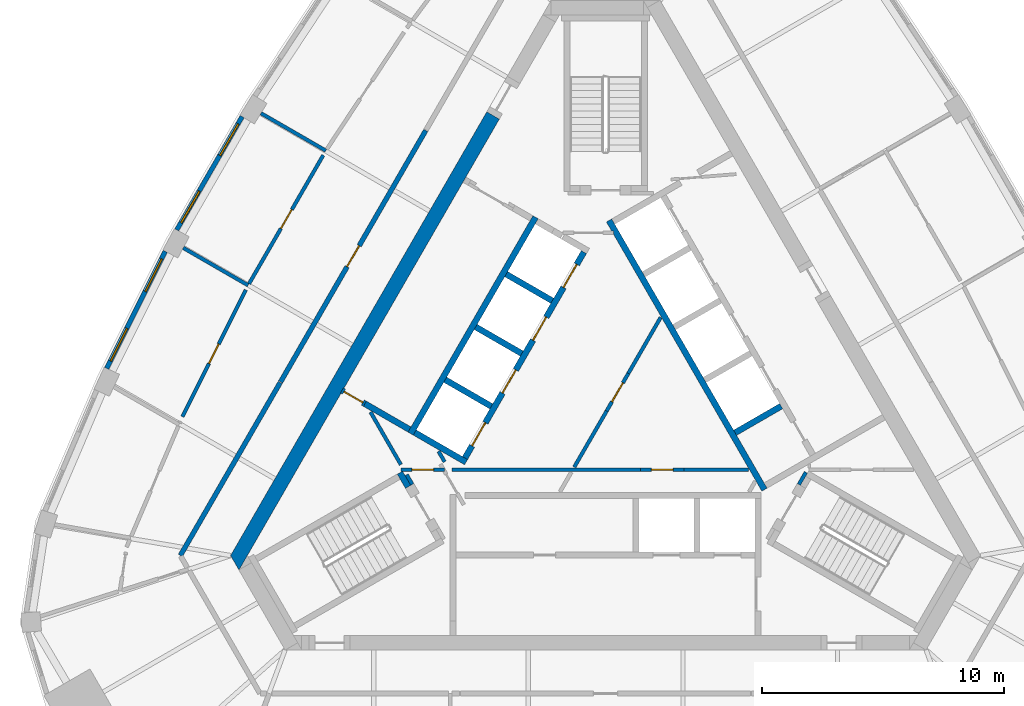
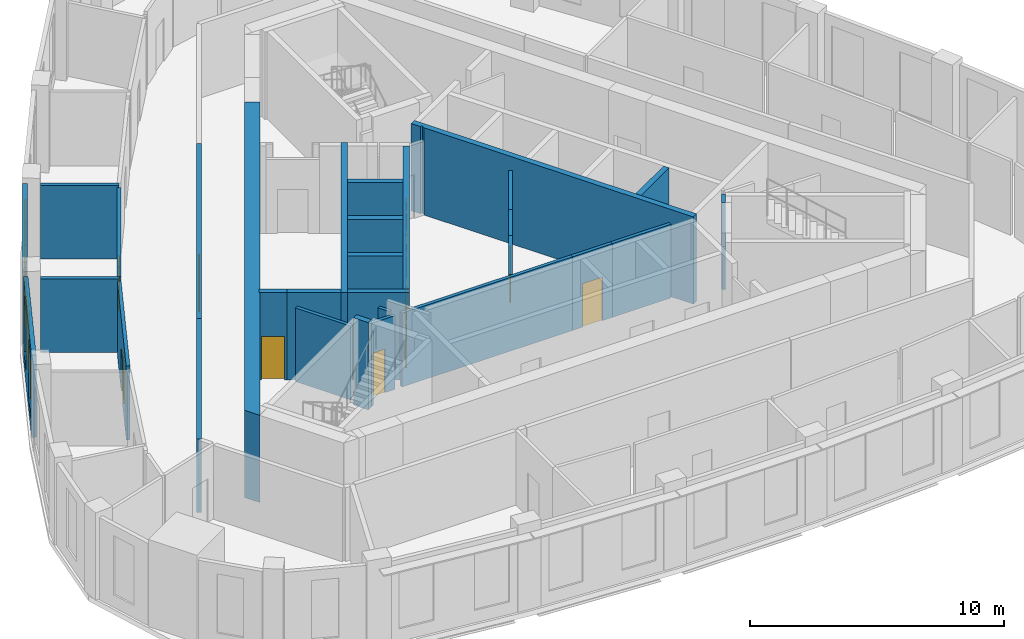
# One storey, part 5 of 10: 31 walls, 11 doors, 4 windows, 15 openings.
"""IFC4 building model written with IfcOpenShell, lengths in metres."""

from ifc_helpers import new_model, si_unit, direction, frame, frame_2d, origin, place, context, subcontext, project, spatial, polyline, rectangle, outline, extrude, material, layer, layer_set, type_object, element, fill, save


model = new_model("IFC4")

# Units and contexts
model_context = context("Model", 3, precision=1e-05, world=origin(), true_north=direction((0.0, 1.0)))
body_context = subcontext(model_context, "Body", "Model", "MODEL_VIEW")
ifc_project = project(units=[si_unit("LENGTHUNIT", "METRE"), si_unit("AREAUNIT", "SQUARE_METRE"), si_unit("VOLUMEUNIT", "CUBIC_METRE"), si_unit("PLANEANGLEUNIT", "RADIAN"), si_unit("MASSUNIT", "GRAM", prefix="KILO")], contexts=[model_context])

# Site, building, storey
site_placement = place(None, origin())
site = spatial("IfcSite", under=ifc_project, at=site_placement, CompositionType="ELEMENT")
building_placement = place(site_placement, origin())
building = spatial("IfcBuilding", under=site, at=building_placement, Name="Mestral Congress Tower", CompositionType="ELEMENT")
storey_placement = place(building_placement, frame((0.0, 0.0, 288.0)))
storey = spatial("IfcBuildingStorey", under=building, at=storey_placement, Name="L67", CompositionType="ELEMENT", Elevation=288.0)

# Walls
ifc_material_1 = material(Name="Fire-rated board partition")
ifc_layer_1 = layer(ifc_material_1, 0.14990234375)
ifc_layer_set_1 = layer_set([ifc_layer_1], Name="Fire-rated board partition")
wall_type_1 = type_object("IfcWallType", Name="Core partition 150", PredefinedType="PARTITIONING", material=ifc_layer_set_1)
wall_1_placement = place(storey_placement, frame((-9.717529296875, -0.41748046875, 0.0), z_axis=(0.0, 0.0, 1.0), x_axis=(0.499966538646, -0.866044721844, 0.0)))
element("IfcWall", 1, at=wall_1_placement, inside=storey, type_object=wall_type_1, Name="L67 core wall", PredefinedType="PARTITIONING", context=body_context, shape_type="SweptSolid", body=[
    extrude(rectangle(XDim=2.510986328125, YDim=0.14990234375, at=frame_2d((1.25537109375, 0.0))), origin(), (0.0, 0.0, 1.0), 3.550048828125),
])
wall_2_placement = place(storey_placement, frame((0.94091796875, 1.179443359375, 0.0), z_axis=(0.0, 0.0, 1.0), x_axis=(0.499962406319, 0.866047107418, 0.0)))
element("IfcWall", 2, at=wall_2_placement, inside=storey, type_object=wall_type_1, Name="L67 core wall", PredefinedType="PARTITIONING", context=body_context, shape_type="SweptSolid", body=[
    extrude(rectangle(XDim=2.671630859375, YDim=0.14990234375, at=frame_2d((1.3359375, 0.0))), origin(), (0.0, 0.0, 1.0), 3.550048828125),
])
wall_3_placement = place(storey_placement, frame((1.438232421875, -2.800048828125, 0.0), z_axis=(0.0, 0.0, 1.0), x_axis=(-1.0, 0.0, 0.0)))
element("IfcWall", 3, at=wall_3_placement, inside=storey, type_object=wall_type_1, Name="L67 core wall", PredefinedType="PARTITIONING", context=body_context, shape_type="SweptSolid", body=[
    extrude(rectangle(XDim=7.78125, YDim=0.14990234375, at=frame_2d((3.890625, 0.0))), origin(), (0.0, 0.0, 1.0), 3.550048828125),
])
for number, where, z_axis, x_axis, name in (
    (4, (-1.295166015625, -2.693115234375, 0.0), (0.0, 0.0, 1.0), (0.500030943131, 0.866007538022, 0.0), "L67 core wall"),
    (5, (3.23828125, -2.800048828125, 0.0), (0.0, 0.0, 1.0), (1.0, 0.0, 0.0), "L67 core wall"),
):
    element("IfcWall", number, at=place(storey_placement, frame(where, z_axis=z_axis, x_axis=x_axis)), inside=storey, type_object=wall_type_1, Name=name, PredefinedType="PARTITIONING", context=body_context, shape_type="SweptSolid", body=[
        extrude(rectangle(XDim=2.671630859375, YDim=0.14990234375, at=frame_2d((1.3359375, 0.0))), origin(), (0.0, 0.0, 1.0), 3.550048828125),
    ])
wall_4_placement = place(storey_placement, frame((-6.65283203125, -2.476806640625, 0.0), z_axis=(0.0, 0.0, 1.0), x_axis=(-0.500002592159, 0.866023907196, 0.0)))
element("IfcWall", 6, at=wall_4_placement, inside=storey, type_object=wall_type_1, Name="L67 core wall", PredefinedType="PARTITIONING", context=body_context, shape_type="SweptSolid", body=[
    extrude(rectangle(XDim=0.5029296875, YDim=0.14990234375, at=frame_2d((0.25146484375, 0.0))), origin(), (0.0, 0.0, 1.0), 3.550048828125),
])
wall_5_placement = place(storey_placement, frame((-7.990234375, -3.41162109375, 0.0), z_axis=(0.0, 0.0, 1.0), x_axis=(-0.499858525911, 0.866107068482, 0.0)))
element("IfcWall", 7, at=wall_5_placement, inside=storey, type_object=wall_type_1, Name="L67 core wall", PredefinedType="PARTITIONING", context=body_context, shape_type="SweptSolid", body=[
    extrude(rectangle(XDim=0.466064453125, YDim=0.14990234375, at=frame_2d((0.23291015625, 0.0))), origin(), (0.0, 0.0, 1.0), 3.550048828125),
])

# Wall, opening, door
wall_6_placement = place(storey_placement, frame((0.040771484375, -0.37939453125, 0.0), z_axis=(0.0, 0.0, 1.0), x_axis=(0.499961193289, 0.866047807691, 0.0)))
wall_6 = element("IfcWall", 8, at=wall_6_placement, inside=storey, type_object=wall_type_1, Name="L67 door wall", PredefinedType="PARTITIONING", context=body_context, shape_type="SweptSolid", body=[
    extrude(rectangle(XDim=1.800048828125, YDim=0.14990234375, at=frame_2d((0.89990234375, 0.0))), origin(), (0.0, 0.0, 1.0), 3.550048828125),
])
opening_1_placement = place(wall_6_placement, frame((0.449951171875, 0.0, 0.0)))
opening_1 = element("IfcOpeningElement", 9, at=opening_1_placement, cuts=wall_6, Name="Opening SD-HUB0", PredefinedType="OPENING", context=body_context, shape_type="SweptSolid", body=[
    extrude(rectangle(XDim=0.89990234375, YDim=2.10009765625, at=frame_2d((0.449951171875, 1.050048828125))), frame((0.0, 0.0849609375, 0.0), z_axis=(0.0, -1.0, 0.0), x_axis=(1.0, 0.0, 0.0)), (0.0, 0.0, 1.0), 0.169921875),
])
ifc_material_2 = material(Name="Fire-rated steel door set", Category="steel")
door_type_1 = type_object("IfcDoorType", Name="Core door SR 900x2100", OperationType="SINGLE_SWING_LEFT", PredefinedType="DOOR", material=ifc_material_2)
door_1_placement = place(opening_1_placement, origin())
door_1 = element("IfcDoor", 10, at=door_1_placement, inside=storey, type_object=door_type_1, Name="Door SD-HUB0", OperationType="SINGLE_SWING_LEFT", OverallHeight=2.10009765625, OverallWidth=0.89990234375, PredefinedType="DOOR", context=body_context, shape_type="SweptSolid", body=[
    extrude(rectangle(XDim=0.89990234375, YDim=2.10009765625, at=frame_2d((0.449951171875, 1.050048828125))), frame((0.0, 0.02490234375, 0.0), z_axis=(0.0, -1.0, 0.0), x_axis=(1.0, 0.0, 0.0)), (0.0, 0.0, 1.0), 0.050048828125),
])
fill(opening_1, door_1)

wall_7_placement = place(storey_placement, frame((1.438232421875, -2.800048828125, 0.0), z_axis=(0.0, 0.0, 1.0), x_axis=(1.0, 0.0, 0.0)))
wall_7 = element("IfcWall", 11, at=wall_7_placement, inside=storey, type_object=wall_type_1, Name="L67 door wall", PredefinedType="PARTITIONING", context=body_context, shape_type="SweptSolid", body=[
    extrude(rectangle(XDim=1.800048828125, YDim=0.14990234375, at=frame_2d((0.89990234375, 0.0))), origin(), (0.0, 0.0, 1.0), 3.550048828125),
])
opening_2_placement = place(wall_7_placement, frame((0.449951171875, 0.0, 0.0)))
opening_2 = element("IfcOpeningElement", 12, at=opening_2_placement, cuts=wall_7, Name="Opening SD-HUB2", PredefinedType="OPENING", context=body_context, shape_type="SweptSolid", body=[
    extrude(rectangle(XDim=0.89990234375, YDim=2.10009765625, at=frame_2d((0.449951171875, 1.050048828125))), frame((0.0, 0.0849609375, 0.0), z_axis=(0.0, -1.0, 0.0), x_axis=(1.0, 0.0, 0.0)), (0.0, 0.0, 1.0), 0.169921875),
])
door_2_placement = place(opening_2_placement, origin())
door_2 = element("IfcDoor", 13, at=door_2_placement, inside=storey, type_object=door_type_1, Name="Door SD-HUB2", OperationType="SINGLE_SWING_LEFT", OverallHeight=2.10009765625, OverallWidth=0.89990234375, PredefinedType="DOOR", context=body_context, shape_type="SweptSolid", body=[
    extrude(rectangle(XDim=0.89990234375, YDim=2.10009765625, at=frame_2d((0.449951171875, 1.050048828125))), frame((0.0, 0.02490234375, 0.0), z_axis=(0.0, -1.0, 0.0), x_axis=(1.0, 0.0, 0.0)), (0.0, 0.0, 1.0), 0.050048828125),
])
fill(opening_2, door_2)

wall_8_placement = place(storey_placement, frame((-6.654541015625, -2.800048828125, 0.0), z_axis=(0.0, 0.0, 1.0), x_axis=(-1.0, 0.0, 0.0)))
wall_8 = element("IfcWall", 14, at=wall_8_placement, inside=storey, type_object=wall_type_1, Name="L67 door wall", PredefinedType="PARTITIONING", context=body_context, shape_type="SweptSolid", body=[
    extrude(rectangle(XDim=1.800048828125, YDim=0.14990234375, at=frame_2d((0.89990234375, 0.0))), origin(), (0.0, 0.0, 1.0), 3.550048828125),
])
opening_3_placement = place(wall_8_placement, frame((0.449951171875, 0.0, 0.0)))
opening_3 = element("IfcOpeningElement", 15, at=opening_3_placement, cuts=wall_8, Name="Opening SD-HUB5", PredefinedType="OPENING", context=body_context, shape_type="SweptSolid", body=[
    extrude(rectangle(XDim=0.89990234375, YDim=2.10009765625, at=frame_2d((0.449951171875, 1.050048828125))), frame((0.0, 0.0849609375, 0.0), z_axis=(0.0, -1.0, 0.0), x_axis=(1.0, 0.0, 0.0)), (0.0, 0.0, 1.0), 0.169921875),
])
door_3_placement = place(opening_3_placement, origin())
door_3 = element("IfcDoor", 16, at=door_3_placement, inside=storey, type_object=door_type_1, Name="Door SD-HUB5", OperationType="SINGLE_SWING_LEFT", OverallHeight=2.10009765625, OverallWidth=0.89990234375, PredefinedType="DOOR", context=body_context, shape_type="SweptSolid", body=[
    extrude(rectangle(XDim=0.89990234375, YDim=2.10009765625, at=frame_2d((0.449951171875, 1.050048828125))), frame((0.0, 0.02490234375, 0.0), z_axis=(0.0, -1.0, 0.0), x_axis=(1.0, 0.0, 0.0)), (0.0, 0.0, 1.0), 0.050048828125),
])
fill(opening_3, door_3)

# Wall
ifc_material_3 = material(Name="Concrete C60/75", Category="concrete")
ifc_layer_2 = layer(ifc_material_3, 0.60009765625)
ifc_layer_set_2 = layer_set([ifc_layer_2], Name="Concrete C60/75")
wall_type_2 = type_object("IfcWallType", Name="Core wall RC 600", PredefinedType="SOLIDWALL", material=ifc_layer_set_2)
placement = place(storey_placement, origin())
element("IfcWall", 17, at=placement, inside=storey, type_object=wall_type_2, Name="L67 core wall", PredefinedType="SOLIDWALL", context=body_context, shape_type="SweptSolid", body=[
    extrude(outline(polyline([(-15.501953125, -6.35009765625), (-4.912109375, 11.991943359375), (-4.392578125, 11.69189453125), (-10.814697265625, 0.568603515625), (-10.840087890625, 0.583251953125), (-10.840087890625, 0.583251953125), (-10.84033203125, 0.583251953125), (-10.96533203125, 0.36669921875), (-10.96533203125, 0.36669921875), (-10.965087890625, 0.36669921875), (-10.939697265625, 0.351806640625), (-11.03271484375, 0.19091796875), (-14.80908203125, -6.35009765625), (-15.155517578125, -6.949951171875), (-15.501953125, -6.35009765625)])), origin(), (0.0, 0.0, 1.0), 4.199951171875),
])

# Wall, openings, windows
ifc_material_4 = material(Name="Precast concrete C40/50 with limestone facing", Category="masonry")
ifc_layer_3 = layer(ifc_material_4, 0.18994140625)
ifc_layer_set_3 = layer_set([ifc_layer_3], Name="Precast concrete C40/50 with limestone facing")
wall_type_3 = type_object("IfcWallType", Name="Facade stone wall 190", PredefinedType="SOLIDWALL", material=ifc_layer_set_3)
wall_10_placement = place(storey_placement, frame((-15.025146484375, 11.7958984375, 0.0), z_axis=(0.0, 0.0, 1.0), x_axis=(-0.500024767483, -0.866011103799, 0.0)))
wall_10 = element("IfcWall", 18, at=wall_10_placement, inside=storey, type_object=wall_type_3, Name="Facade wall F2-02", PredefinedType="SOLIDWALL", context=body_context, shape_type="SweptSolid", body=[
    extrude(rectangle(XDim=5.406005859375, YDim=0.18994140625, at=frame_2d((2.703125, 0.0))), origin(), (0.0, 0.0, 1.0), 3.949951171875),
])
opening_4_placement = place(wall_10_placement, frame((0.346435546875, 0.0, 0.60009765625)))
opening_4 = element("IfcOpeningElement", 19, at=opening_4_placement, cuts=wall_10, Name="Opening W6", PredefinedType="OPENING", context=body_context, shape_type="SweptSolid", body=[
    extrude(rectangle(XDim=1.5, YDim=2.85009765625, at=frame_2d((0.75, 1.425048828125))), frame((0.0, 0.10498046875, 0.0), z_axis=(0.0, -1.0, 0.0), x_axis=(1.0, 0.0, 0.0)), (0.0, 0.0, 1.0), 0.2099609375),
])
opening_5_placement = place(wall_10_placement, frame((3.559326171875, 0.0, 0.60009765625)))
opening_5 = element("IfcOpeningElement", 20, at=opening_5_placement, cuts=wall_10, Name="Opening W6", PredefinedType="OPENING", context=body_context, shape_type="SweptSolid", body=[
    extrude(rectangle(XDim=1.5, YDim=2.85009765625, at=frame_2d((0.75, 1.425048828125))), frame((0.0, 0.10498046875, 0.0), z_axis=(0.0, -1.0, 0.0), x_axis=(1.0, 0.0, 0.0)), (0.0, 0.0, 1.0), 0.2099609375),
])
ifc_material_5 = material(Name="Clear low-emissivity double glazing", Category="glass")
window_type = type_object("IfcWindowType", Name="Facade punched window 1500 x 2850 sill 600", PartitioningType="SINGLE_PANEL", PredefinedType="WINDOW", material=ifc_material_5)
window_1_placement = place(opening_4_placement, origin())
window_1 = element("IfcWindow", 21, at=window_1_placement, inside=storey, type_object=window_type, Name="Window F2-02a", OverallHeight=2.85009765625, OverallWidth=1.5, PartitioningType="SINGLE_PANEL", PredefinedType="WINDOW", context=body_context, shape_type="SweptSolid", body=[
    extrude(rectangle(XDim=1.5, YDim=2.85009765625, at=frame_2d((0.75, 1.425048828125))), frame((0.0, 0.044921875, 0.0), z_axis=(0.0, -1.0, 0.0), x_axis=(1.0, 0.0, 0.0)), (0.0, 0.0, 1.0), 0.06005859375),
])
fill(opening_4, window_1)
window_2_placement = place(opening_5_placement, origin())
window_2 = element("IfcWindow", 22, at=window_2_placement, inside=storey, type_object=window_type, Name="Window F2-02b", OverallHeight=2.85009765625, OverallWidth=1.5, PartitioningType="SINGLE_PANEL", PredefinedType="WINDOW", context=body_context, shape_type="SweptSolid", body=[
    extrude(rectangle(XDim=1.5, YDim=2.85009765625, at=frame_2d((0.75, 1.425048828125))), frame((0.0, 0.044921875, 0.0), z_axis=(0.0, -1.0, 0.0), x_axis=(1.0, 0.0, 0.0)), (0.0, 0.0, 1.0), 0.06005859375),
])
fill(opening_5, window_2)

wall_11_placement = place(storey_placement, frame((-18.205810546875, 6.226806640625, 0.0), z_axis=(0.0, 0.0, 1.0), x_axis=(-0.447484531401, -0.894291671747, 0.0)))
wall_11 = element("IfcWall", 23, at=wall_11_placement, inside=storey, type_object=wall_type_3, Name="Facade wall F2-03", PredefinedType="SOLIDWALL", context=body_context, shape_type="SweptSolid", body=[
    extrude(rectangle(XDim=5.40625, YDim=0.18994140625, at=frame_2d((2.703125, 0.0))), origin(), (0.0, 0.0, 1.0), 3.949951171875),
])
opening_6_placement = place(wall_11_placement, frame((0.346435546875, 0.0, 0.60009765625)))
opening_6 = element("IfcOpeningElement", 24, at=opening_6_placement, cuts=wall_11, Name="Opening W6", PredefinedType="OPENING", context=body_context, shape_type="SweptSolid", body=[
    extrude(rectangle(XDim=1.5, YDim=2.85009765625, at=frame_2d((0.75, 1.425048828125))), frame((0.0, 0.10498046875, 0.0), z_axis=(0.0, -1.0, 0.0), x_axis=(1.0, 0.0, 0.0)), (0.0, 0.0, 1.0), 0.2099609375),
])
opening_7_placement = place(wall_11_placement, frame((3.559326171875, 0.0, 0.60009765625)))
opening_7 = element("IfcOpeningElement", 25, at=opening_7_placement, cuts=wall_11, Name="Opening W6", PredefinedType="OPENING", context=body_context, shape_type="SweptSolid", body=[
    extrude(rectangle(XDim=1.5, YDim=2.85009765625, at=frame_2d((0.75, 1.425048828125))), frame((0.0, 0.10498046875, 0.0), z_axis=(0.0, -1.0, 0.0), x_axis=(1.0, 0.0, 0.0)), (0.0, 0.0, 1.0), 0.2099609375),
])
window_3_placement = place(opening_6_placement, origin())
window_3 = element("IfcWindow", 26, at=window_3_placement, inside=storey, type_object=window_type, Name="Window F2-03a", OverallHeight=2.85009765625, OverallWidth=1.5, PartitioningType="SINGLE_PANEL", PredefinedType="WINDOW", context=body_context, shape_type="SweptSolid", body=[
    extrude(rectangle(XDim=1.5, YDim=2.85009765625, at=frame_2d((0.75, 1.425048828125))), frame((0.0, 0.044921875, 0.0), z_axis=(0.0, -1.0, 0.0), x_axis=(1.0, 0.0, 0.0)), (0.0, 0.0, 1.0), 0.06005859375),
])
fill(opening_6, window_3)
window_4_placement = place(opening_7_placement, origin())
window_4 = element("IfcWindow", 27, at=window_4_placement, inside=storey, type_object=window_type, Name="Window F2-03b", OverallHeight=2.85009765625, OverallWidth=1.5, PartitioningType="SINGLE_PANEL", PredefinedType="WINDOW", context=body_context, shape_type="SweptSolid", body=[
    extrude(rectangle(XDim=1.5, YDim=2.85009765625, at=frame_2d((0.75, 1.425048828125))), frame((0.0, 0.044921875, 0.0), z_axis=(0.0, -1.0, 0.0), x_axis=(1.0, 0.0, 0.0)), (0.0, 0.0, 1.0), 0.06005859375),
])
fill(opening_7, window_4)

# Walls
ifc_material_6 = material(Name="Plasterboard partition on steel studs", Category="steel")
ifc_layer_4 = layer(ifc_material_6, 0.14990234375)
ifc_layer_set_4 = layer_set([ifc_layer_4], Name="Plasterboard partition on steel studs")
wall_type_4 = type_object("IfcWallType", Name="Office partition 150", PredefinedType="PARTITIONING", material=ifc_layer_set_4)
for number, where, z_axis, x_axis, name in (
    (28, (-11.564208984375, 10.38671875, 0.0), (0.0, 0.0, 1.0), (-0.86604641216, 0.499963610661, 0.0), "Partition"),
    (29, (-14.77734375, 4.821533203125, 0.0), (0.0, 0.0, 1.0), (-0.865992557167, 0.500056887695, 0.0), "Partition"),
):
    element("IfcWall", number, at=place(storey_placement, frame(where, z_axis=z_axis, x_axis=x_axis)), inside=storey, type_object=wall_type_4, Name=name, PredefinedType="PARTITIONING", context=body_context, shape_type="SweptSolid", body=[
        extrude(rectangle(XDim=3.096435546875, YDim=0.14990234375, at=frame_2d((1.54833984375, 0.0))), origin(), (0.0, 0.0, 1.0), 3.550048828125),
    ])

# Wall, opening, door
wall_12_placement = place(storey_placement, frame((-14.73974609375, 4.88671875, 0.0), z_axis=(0.0, 0.0, 1.0), x_axis=(0.500007141444, 0.86602128063, 0.0)))
wall_12 = element("IfcWall", 30, at=wall_12_placement, inside=storey, type_object=wall_type_4, Name="Partition", PredefinedType="PARTITIONING", context=body_context, shape_type="SweptSolid", body=[
    extrude(rectangle(XDim=6.13671875, YDim=0.14990234375, at=frame_2d((3.068359375, 0.0))), origin(), (0.0, 0.0, 1.0), 3.550048828125),
])
opening_8_placement = place(wall_12_placement, frame((2.63671875, 0.0, 0.0)))
opening_8 = element("IfcOpeningElement", 31, at=opening_8_placement, cuts=wall_12, Name="Opening O12-014", PredefinedType="OPENING", context=body_context, shape_type="SweptSolid", body=[
    extrude(rectangle(XDim=0.89990234375, YDim=2.10009765625, at=frame_2d((0.449951171875, 1.050048828125))), frame((0.0, 0.0849609375, 0.0), z_axis=(0.0, -1.0, 0.0), x_axis=(1.0, 0.0, 0.0)), (0.0, 0.0, 1.0), 0.169921875),
])
ifc_material_7 = material(Name="Timber door set", Category="wood")
door_type_2 = type_object("IfcDoorType", Name="Office door 900x2100", OperationType="SINGLE_SWING_LEFT", PredefinedType="DOOR", material=ifc_material_7)
door_4_placement = place(opening_8_placement, origin())
door_4 = element("IfcDoor", 32, at=door_4_placement, inside=storey, type_object=door_type_2, Name="Door O12-014", OperationType="SINGLE_SWING_RIGHT", OverallHeight=2.10009765625, OverallWidth=0.89990234375, PredefinedType="DOOR", context=body_context, shape_type="SweptSolid", body=[
    extrude(rectangle(XDim=0.89990234375, YDim=2.10009765625, at=frame_2d((0.449951171875, 1.050048828125))), frame((0.0, 0.02490234375, 0.0), z_axis=(0.0, -1.0, 0.0), x_axis=(1.0, 0.0, 0.0)), (0.0, 0.0, 1.0), 0.050048828125),
])
fill(opening_8, door_4)

wall_13_placement = place(storey_placement, frame((-17.49658203125, -0.61328125, 0.0), z_axis=(0.0, 0.0, 1.0), x_axis=(0.447480081559, 0.89429389834, 0.0)))
wall_13 = element("IfcWall", 33, at=wall_13_placement, inside=storey, type_object=wall_type_4, Name="Partition", PredefinedType="PARTITIONING", context=body_context, shape_type="SweptSolid", body=[
    extrude(rectangle(XDim=5.86279296875, YDim=0.14990234375, at=frame_2d((2.931396484375, 0.0))), origin(), (0.0, 0.0, 1.0), 3.550048828125),
])
opening_9_placement = place(wall_13_placement, frame((2.463134765625, 0.0, 0.0)))
opening_9 = element("IfcOpeningElement", 34, at=opening_9_placement, cuts=wall_13, Name="Opening O12-015", PredefinedType="OPENING", context=body_context, shape_type="SweptSolid", body=[
    extrude(rectangle(XDim=0.89990234375, YDim=2.10009765625, at=frame_2d((0.449951171875, 1.050048828125))), frame((0.0, 0.0849609375, 0.0), z_axis=(0.0, -1.0, 0.0), x_axis=(1.0, 0.0, 0.0)), (0.0, 0.0, 1.0), 0.169921875),
])
door_5_placement = place(opening_9_placement, origin())
door_5 = element("IfcDoor", 35, at=door_5_placement, inside=storey, type_object=door_type_2, Name="Door O12-015", OperationType="SINGLE_SWING_LEFT", OverallHeight=2.10009765625, OverallWidth=0.89990234375, PredefinedType="DOOR", context=body_context, shape_type="SweptSolid", body=[
    extrude(rectangle(XDim=0.89990234375, YDim=2.10009765625, at=frame_2d((0.449951171875, 1.050048828125))), frame((0.0, 0.02490234375, 0.0), z_axis=(0.0, -1.0, 0.0), x_axis=(1.0, 0.0, 0.0)), (0.0, 0.0, 1.0), 0.050048828125),
])
fill(opening_9, door_5)

ifc_material_8 = material(Name="Dense masonry wall, plastered", Category="masonry")
ifc_layer_5 = layer(ifc_material_8, 0.199951171875)
ifc_layer_set_5 = layer_set([ifc_layer_5], Name="Dense masonry wall, plastered")
wall_type_5 = type_object("IfcWallType", Name="Office tenancy wall 200", PredefinedType="PARTITIONING", material=ifc_layer_set_5)
wall_14_placement = place(storey_placement, frame((-7.435546875, 11.22119140625, 0.0), z_axis=(0.0, 0.0, 1.0), x_axis=(-0.49999894854, -0.866026010844, 0.0)))
wall_14 = element("IfcWall", 36, at=wall_14_placement, inside=storey, type_object=wall_type_5, Name="Tenancy wall", PredefinedType="PARTITIONING", context=body_context, shape_type="SweptSolid", body=[
    extrude(rectangle(XDim=12.0, YDim=0.199951171875, at=frame_2d((6.0, 0.0))), origin(), (0.0, 0.0, 1.0), 3.550048828125),
])
opening_10_placement = place(wall_14_placement, frame((5.5, 0.0, 0.0)))
opening_10 = element("IfcOpeningElement", 37, at=opening_10_placement, cuts=wall_14, Name="Opening O12-018", PredefinedType="OPENING", context=body_context, shape_type="SweptSolid", body=[
    extrude(rectangle(XDim=1.0, YDim=2.10009765625, at=frame_2d((0.5, 1.050048828125))), frame((0.0, 0.10986328125, 0.0), z_axis=(0.0, -1.0, 0.0), x_axis=(1.0, 0.0, 0.0)), (0.0, 0.0, 1.0), 0.219970703125),
])
ifc_material_9 = material(Name="Fire-rated timber door set", Category="wood")
door_type_3 = type_object("IfcDoorType", Name="Office tenancy entrance door 1000x2100", OperationType="SINGLE_SWING_LEFT", PredefinedType="DOOR", material=ifc_material_9)
door_6_placement = place(opening_10_placement, origin())
door_6 = element("IfcDoor", 38, at=door_6_placement, inside=storey, type_object=door_type_3, Name="Door O12-018", OperationType="SINGLE_SWING_RIGHT", OverallHeight=2.10009765625, OverallWidth=1.0, PredefinedType="DOOR", context=body_context, shape_type="SweptSolid", body=[
    extrude(rectangle(XDim=1.0, YDim=2.10009765625, at=frame_2d((0.5, 1.050048828125))), frame((0.0, 0.02490234375, 0.0), z_axis=(0.0, -1.0, 0.0), x_axis=(1.0, 0.0, 0.0)), (0.0, 0.0, 1.0), 0.050048828125),
])
fill(opening_10, door_6)

# Walls
wall_15_placement = place(storey_placement, frame((-13.45068359375, 0.802978515625, 0.0), z_axis=(0.0, 0.0, 1.0), x_axis=(-0.499982585408, -0.86603545787, 0.0)))
element("IfcWall", 39, at=wall_15_placement, inside=storey, type_object=wall_type_5, Name="Tenancy wall", PredefinedType="PARTITIONING", context=body_context, shape_type="SweptSolid", body=[
    extrude(rectangle(XDim=8.259521484375, YDim=0.199951171875, at=frame_2d((4.1298828125, 0.0))), origin(), (0.0, 0.0, 1.0), 3.550048828125),
])
ifc_layer_6 = layer(ifc_material_3, 0.25)
ifc_layer_set_6 = layer_set([ifc_layer_6], Name="Concrete C60/75")
wall_type_6 = type_object("IfcWallType", Name="Shaft wall RC 250", PredefinedType="SOLIDWALL", material=ifc_layer_set_6)
element("IfcWall", 40, at=placement, inside=storey, type_object=wall_type_6, Name="L67 core wall", PredefinedType="SOLIDWALL", context=body_context, shape_type="SweptSolid", body=[
    extrude(outline(polyline([(0.33203125, 6.9248046875), (0.334716796875, 6.9248046875), (0.334716796875, 6.925048828125), (0.334716796875, 6.925048828125), (0.334716796875, 7.074951171875), (0.334716796875, 7.074951171875), (0.334716796875, 7.0751953125), (0.245361328125, 7.0751953125), (0.03515625, 7.439208984375), (0.251708984375, 7.564208984375), (0.376708984375, 7.34765625), (1.51171875, 5.3818359375), (1.63671875, 5.165283203125), (2.220947265625, 4.153076171875), (2.771484375, 3.199462890625), (2.896484375, 2.98291015625), (3.13818359375, 2.564208984375), (4.031494140625, 1.01708984375), (4.156494140625, 0.800537109375), (5.29150390625, -1.165283203125), (5.41650390625, -1.3818359375), (6.072998046875, -2.518798828125), (6.551513671875, -3.34765625), (6.676513671875, -3.564208984375), (6.460205078125, -3.689208984375), (0.33203125, 6.9248046875)])), origin(), (0.0, 0.0, 1.0), 4.199951171875),
])
wall_17_placement = place(storey_placement, frame((5.35400390625, -1.273681640625, 0.0), z_axis=(0.0, 0.0, 1.0), x_axis=(0.866008176907, 0.50002983664, 0.0)))
element("IfcWall", 41, at=wall_17_placement, inside=storey, type_object=wall_type_6, Name="L67 core wall", PredefinedType="SOLIDWALL", context=body_context, shape_type="SweptSolid", body=[
    extrude(rectangle(XDim=2.199951171875, YDim=0.25, at=frame_2d((1.10009765625, 0.0))), origin(), (0.0, 0.0, 1.0), 4.199951171875),
])
wall_18_placement = place(storey_placement, frame((-8.06005859375, -1.310546875, 0.0), z_axis=(0.0, 0.0, 1.0), x_axis=(0.50000273126, 0.866023826885, 0.0)))
element("IfcWall", 42, at=wall_18_placement, inside=storey, type_object=wall_type_6, Name="L67 core wall", PredefinedType="SOLIDWALL", context=body_context, shape_type="SweptSolid", body=[
    extrude(rectangle(XDim=10.330078125, YDim=0.25, at=frame_2d((5.1650390625, 0.0))), origin(), (0.0, 0.0, 1.0), 4.199951171875),
])
for number, where, z_axis, x_axis, name in (
    (43, (-2.2041015625, 4.182373046875, 0.0), (0.0, 0.0, 1.0), (-0.866008176907, 0.50002983664, 0.0), "L67 core wall"),
    (44, (-5.369384765625, 3.10009765625, 0.0), (0.0, 0.0, 1.0), (0.866008176907, -0.50002983664, 0.0), "L67 core wall"),
    (45, (-4.72412109375, -0.182373046875, 0.0), (0.0, 0.0, 1.0), (-0.866008176907, 0.50002983664, 0.0), "L67 core wall"),
):
    element("IfcWall", number, at=place(storey_placement, frame(where, z_axis=z_axis, x_axis=x_axis)), inside=storey, type_object=wall_type_6, Name=name, PredefinedType="SOLIDWALL", context=body_context, shape_type="SweptSolid", body=[
        extrude(rectangle(XDim=2.199951171875, YDim=0.25, at=frame_2d((1.10009765625, 0.0))), origin(), (0.0, 0.0, 1.0), 4.199951171875),
    ])
wall_19_placement = place(storey_placement, frame((-7.889404296875, -1.264892578125, 0.0), z_axis=(0.0, 0.0, 1.0), x_axis=(0.866057815567, -0.499943856944, 0.0)))
element("IfcWall", 46, at=wall_19_placement, inside=storey, type_object=wall_type_6, Name="L67 core wall", PredefinedType="SOLIDWALL", context=body_context, shape_type="SweptSolid", body=[
    extrude(rectangle(XDim=2.449951171875, YDim=0.25, at=frame_2d((1.22509765625, 0.0))), origin(), (0.0, 0.0, 1.0), 4.199951171875),
])
wall_20_placement = place(storey_placement, frame((-9.949951171875, -0.074951171875, 0.0), z_axis=(0.0, 0.0, 1.0), x_axis=(0.865962177421, -0.500109495288, 0.0)))
element("IfcWall", 47, at=wall_20_placement, inside=storey, type_object=wall_type_6, Name="L67 core wall", PredefinedType="SOLIDWALL", context=body_context, shape_type="SweptSolid", body=[
    extrude(rectangle(XDim=2.12939453125, YDim=0.25, at=frame_2d((1.064697265625, 0.0))), origin(), (0.0, 0.0, 1.0), 4.199951171875),
])

# Wall, openings, doors
wall_21_placement = place(storey_placement, frame((-0.898193359375, 6.194091796875, 0.0), z_axis=(0.0, 0.0, 1.0), x_axis=(-0.499996202215, -0.866027596426, 0.0)))
wall_21 = element("IfcWall", 48, at=wall_21_placement, inside=storey, type_object=wall_type_6, Name="L67 door wall", PredefinedType="SOLIDWALL", context=body_context, shape_type="SweptSolid", body=[
    extrude(rectangle(XDim=9.830078125, YDim=0.25, at=frame_2d((4.9150390625, 0.0))), origin(), (0.0, 0.0, 1.0), 4.199951171875),
])
opening_11_placement = place(wall_21_placement, frame((0.5849609375, 0.0, 0.0)))
opening_11 = element("IfcOpeningElement", 49, at=opening_11_placement, cuts=wall_21, Name="Opening LD-NWB1", PredefinedType="OPENING", context=body_context, shape_type="SweptSolid", body=[
    extrude(rectangle(XDim=1.10009765625, YDim=2.10009765625, at=frame_2d((0.550048828125, 1.050048828125))), frame((0.0, 0.135009765625, 0.0), z_axis=(0.0, -1.0, 0.0), x_axis=(1.0, 0.0, 0.0)), (0.0, 0.0, 1.0), 0.27001953125),
])
opening_12_placement = place(wall_21_placement, frame((3.10498046875, 0.0, 0.0)))
opening_12 = element("IfcOpeningElement", 50, at=opening_12_placement, cuts=wall_21, Name="Opening LD-NWB2", PredefinedType="OPENING", context=body_context, shape_type="SweptSolid", body=[
    extrude(rectangle(XDim=1.10009765625, YDim=2.10009765625, at=frame_2d((0.550048828125, 1.050048828125))), frame((0.0, 0.135009765625, 0.0), z_axis=(0.0, -1.0, 0.0), x_axis=(1.0, 0.0, 0.0)), (0.0, 0.0, 1.0), 0.27001953125),
])
opening_13_placement = place(wall_21_placement, frame((5.625, 0.0, 0.0)))
opening_13 = element("IfcOpeningElement", 51, at=opening_13_placement, cuts=wall_21, Name="Opening LD-NWB3", PredefinedType="OPENING", context=body_context, shape_type="SweptSolid", body=[
    extrude(rectangle(XDim=1.10009765625, YDim=2.10009765625, at=frame_2d((0.550048828125, 1.050048828125))), frame((0.0, 0.135009765625, 0.0), z_axis=(0.0, -1.0, 0.0), x_axis=(1.0, 0.0, 0.0)), (0.0, 0.0, 1.0), 0.27001953125),
])
opening_14_placement = place(wall_21_placement, frame((8.14501953125, 0.0, 0.0)))
opening_14 = element("IfcOpeningElement", 52, at=opening_14_placement, cuts=wall_21, Name="Opening LD-NWB4", PredefinedType="OPENING", context=body_context, shape_type="SweptSolid", body=[
    extrude(rectangle(XDim=1.10009765625, YDim=2.10009765625, at=frame_2d((0.550048828125, 1.050048828125))), frame((0.0, 0.135009765625, 0.0), z_axis=(0.0, -1.0, 0.0), x_axis=(1.0, 0.0, 0.0)), (0.0, 0.0, 1.0), 0.27001953125),
])
door_type_4 = type_object("IfcDoorType", Name="Core door LD 1100x2100", OperationType="DOUBLE_DOOR_SLIDING", PredefinedType="DOOR", material=ifc_material_2)
door_7_placement = place(opening_11_placement, origin())
door_7 = element("IfcDoor", 53, at=door_7_placement, inside=storey, type_object=door_type_4, Name="Door LD-NWB1", OperationType="DOUBLE_DOOR_SLIDING", OverallHeight=2.10009765625, OverallWidth=1.10009765625, PredefinedType="DOOR", context=body_context, shape_type="SweptSolid", body=[
    extrude(rectangle(XDim=1.10009765625, YDim=2.10009765625, at=frame_2d((0.550048828125, 1.050048828125))), frame((0.0, 0.02490234375, 0.0), z_axis=(0.0, -1.0, 0.0), x_axis=(1.0, 0.0, 0.0)), (0.0, 0.0, 1.0), 0.050048828125),
])
fill(opening_11, door_7)
door_8_placement = place(opening_12_placement, origin())
door_8 = element("IfcDoor", 54, at=door_8_placement, inside=storey, type_object=door_type_4, Name="Door LD-NWB2", OperationType="DOUBLE_DOOR_SLIDING", OverallHeight=2.10009765625, OverallWidth=1.10009765625, PredefinedType="DOOR", context=body_context, shape_type="SweptSolid", body=[
    extrude(rectangle(XDim=1.10009765625, YDim=2.10009765625, at=frame_2d((0.550048828125, 1.050048828125))), frame((0.0, 0.02490234375, 0.0), z_axis=(0.0, -1.0, 0.0), x_axis=(1.0, 0.0, 0.0)), (0.0, 0.0, 1.0), 0.050048828125),
])
fill(opening_12, door_8)
door_9_placement = place(opening_13_placement, origin())
door_9 = element("IfcDoor", 55, at=door_9_placement, inside=storey, type_object=door_type_4, Name="Door LD-NWB3", OperationType="DOUBLE_DOOR_SLIDING", OverallHeight=2.10009765625, OverallWidth=1.10009765625, PredefinedType="DOOR", context=body_context, shape_type="SweptSolid", body=[
    extrude(rectangle(XDim=1.10009765625, YDim=2.10009765625, at=frame_2d((0.550048828125, 1.050048828125))), frame((0.0, 0.02490234375, 0.0), z_axis=(0.0, -1.0, 0.0), x_axis=(1.0, 0.0, 0.0)), (0.0, 0.0, 1.0), 0.050048828125),
])
fill(opening_13, door_9)
door_10_placement = place(opening_14_placement, origin())
door_10 = element("IfcDoor", 56, at=door_10_placement, inside=storey, type_object=door_type_4, Name="Door LD-NWB4", OperationType="DOUBLE_DOOR_SLIDING", OverallHeight=2.10009765625, OverallWidth=1.10009765625, PredefinedType="DOOR", context=body_context, shape_type="SweptSolid", body=[
    extrude(rectangle(XDim=1.10009765625, YDim=2.10009765625, at=frame_2d((0.550048828125, 1.050048828125))), frame((0.0, 0.02490234375, 0.0), z_axis=(0.0, -1.0, 0.0), x_axis=(1.0, 0.0, 0.0)), (0.0, 0.0, 1.0), 0.050048828125),
])
fill(opening_14, door_10)

# Wall, opening, door
wall_22_placement = place(storey_placement, frame((-9.9501953125, -0.074951171875, 0.0), z_axis=(0.0, 0.0, 1.0), x_axis=(-0.865952669392, 0.500125958508, 0.0)))
wall_22 = element("IfcWall", 57, at=wall_22_placement, inside=storey, type_object=wall_type_6, Name="L67 door wall", PredefinedType="SOLIDWALL", context=body_context, shape_type="SweptSolid", body=[
    extrude(rectangle(XDim=1.099853515625, YDim=0.25, at=frame_2d((0.5498046875, 0.0))), origin(), (0.0, 0.0, 1.0), 4.199951171875),
])
opening_15_placement = place(wall_22_placement, frame((0.10009765625, 0.0, 0.0)))
opening_15 = element("IfcOpeningElement", 58, at=opening_15_placement, cuts=wall_22, Name="Opening TD3", PredefinedType="OPENING", context=body_context, shape_type="SweptSolid", body=[
    extrude(rectangle(XDim=0.89990234375, YDim=2.10009765625, at=frame_2d((0.449951171875, 1.050048828125))), frame((0.0, 0.135009765625, 0.0), z_axis=(0.0, -1.0, 0.0), x_axis=(1.0, 0.0, 0.0)), (0.0, 0.0, 1.0), 0.27001953125),
])
door_11_placement = place(opening_15_placement, origin())
door_11 = element("IfcDoor", 59, at=door_11_placement, inside=storey, type_object=door_type_1, Name="Door TD3", OperationType="SINGLE_SWING_LEFT", OverallHeight=2.10009765625, OverallWidth=0.89990234375, PredefinedType="DOOR", context=body_context, shape_type="SweptSolid", body=[
    extrude(rectangle(XDim=0.89990234375, YDim=2.10009765625, at=frame_2d((0.449951171875, 1.050048828125))), frame((0.0, 0.02490234375, 0.0), z_axis=(0.0, -1.0, 0.0), x_axis=(1.0, 0.0, 0.0)), (0.0, 0.0, 1.0), 0.050048828125),
])
fill(opening_15, door_11)

# Walls
ifc_layer_7 = layer(ifc_material_3, 0.14990234375)
ifc_layer_set_7 = layer_set([ifc_layer_7], Name="Concrete C60/75")
wall_type_7 = type_object("IfcWallType", Name="Shaft wall RC 250 door-wall 150", PredefinedType="SOLIDWALL", material=ifc_layer_set_7)
wall_23_placement = place(storey_placement, frame((8.281494140625, -2.906982421875, 0.0), z_axis=(0.0, 0.0, 1.0), x_axis=(-0.500193841991, -0.86591346013, 0.0)))
element("IfcWall", 60, at=wall_23_placement, inside=storey, type_object=wall_type_7, Name="L67 core wall", PredefinedType="PARTITIONING", context=body_context, shape_type="SweptSolid", body=[
    extrude(rectangle(XDim=0.582763671875, YDim=0.14990234375, at=frame_2d((0.29150390625, 0.0))), origin(), (0.0, 0.0, 1.0), 4.199951171875),
])
ifc_layer_8 = layer(ifc_material_3, 0.25)
ifc_layer_set_8 = layer_set([ifc_layer_8], Name="Concrete C60/75")
wall_type_8 = type_object("IfcWallType", Name="Stair wall RC 250", PredefinedType="SOLIDWALL", material=ifc_layer_set_8)
wall_24_placement = place(storey_placement, frame((-8.1630859375, -3.51123046875, 0.0), z_axis=(0.0, 0.0, 1.0), x_axis=(-0.499994068514, 0.866028828302, 0.0)))
element("IfcWall", 61, at=wall_24_placement, inside=storey, type_object=wall_type_8, Name="L67 core wall", PredefinedType="SOLIDWALL", context=body_context, shape_type="SweptSolid", body=[
    extrude(rectangle(XDim=0.67431640625, YDim=0.25, at=frame_2d((0.337158203125, 0.0))), origin(), (0.0, 0.0, 1.0), 4.199951171875),
])

save(model, "model.ifc")
